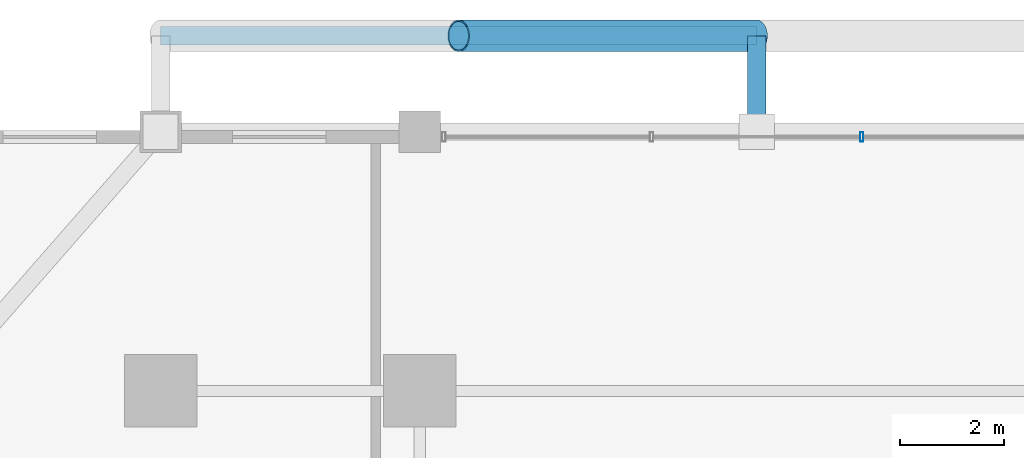
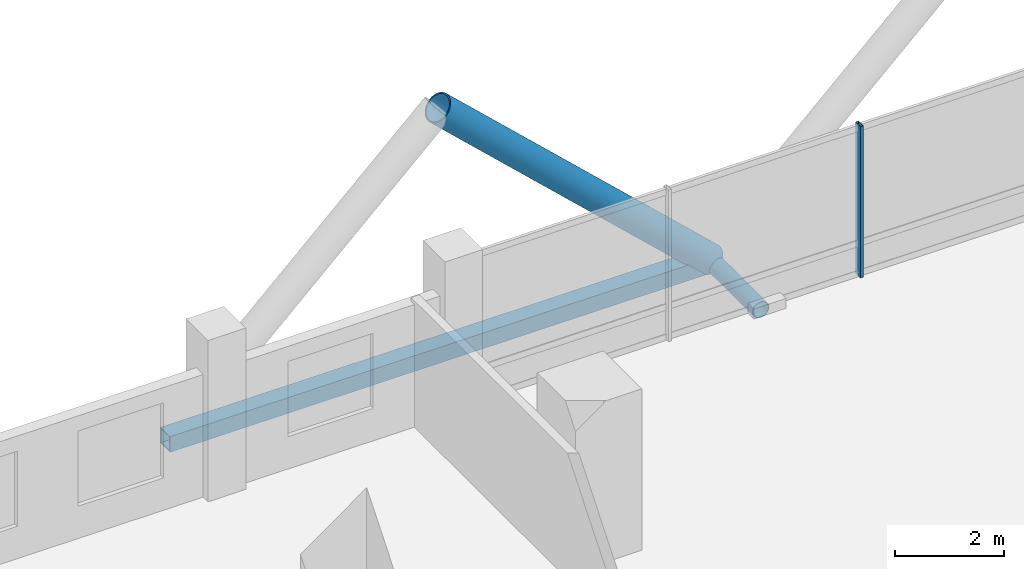
# One storey, part 16 of 27: 4 members, 1 element without a shape of its own.
"""IFC4 building model written with IfcOpenShell, lengths in metres."""

from ifc_helpers import new_model, si_unit, direction, frame, origin, origin_2d, place, context, subcontext, project, spatial, hollow_rectangle, hollow_circle, extrude, material, layer, layer_set, material_profile, profile_set, type_object, element, aggregate, save


model = new_model("IFC4")

# Units and contexts
model_context = context("Model", 3, precision=1e-05, world=origin(), true_north=direction((0.0, 1.0)))
body_context = subcontext(model_context, "Body", "Model", "MODEL_VIEW")
ifc_project = project(units=[si_unit("LENGTHUNIT", "METRE"), si_unit("AREAUNIT", "SQUARE_METRE"), si_unit("VOLUMEUNIT", "CUBIC_METRE"), si_unit("PLANEANGLEUNIT", "RADIAN"), si_unit("MASSUNIT", "GRAM", prefix="KILO")], contexts=[model_context])

# Site, building, storey
site_placement = place(None, origin())
site = spatial("IfcSite", under=ifc_project, at=site_placement, CompositionType="ELEMENT")
building_placement = place(site_placement, origin())
building = spatial("IfcBuilding", under=site, at=building_placement, Name="Barlavira Tower and Art Museum", CompositionType="ELEMENT")
storey_placement = place(building_placement, frame((0.0, 0.0, 72.0)))
storey = spatial("IfcBuildingStorey", under=building, at=storey_placement, Name="L17", CompositionType="ELEMENT", Elevation=72.0)

# Curtain wall, member
ifc_material_1 = material(Name="Low-iron coastal laminated glass", Category="glass")
ifc_layer = layer(ifc_material_1, 0.179931640625, Name="Low-iron coastal laminated glass")
ifc_layer_set = layer_set([ifc_layer], Name="Low-iron coastal laminated glass")
curtain_wall_type = type_object("IfcCurtainWallType", Name="Pale-Metal Unitised Curtain Wall Zone 1", PredefinedType="NOTDEFINED", material=ifc_layer_set)
curtain_wall_placement = place(storey_placement, origin())
curtain_wall = element("IfcCurtainWall", 1, at=curtain_wall_placement, inside=storey, type_object=curtain_wall_type, Name="L17 Curtain Wall CW1-L17-N-B3", PredefinedType="NOTDEFINED")
ifc_material_2 = material(Name="Pale anodised aluminium", Category="aluminium")
ifc_material_profile_1 = material_profile(ifc_material_2, hollow_rectangle(XDim=0.06494140625, YDim=0.179931640625, WallThickness=0.00390625, at=origin_2d()), Name="ALU-MULL 65x180x4")
ifc_profile_set_1 = profile_set([ifc_material_profile_1], Name="Pale anodised aluminium")
member_type_1 = type_object("IfcMemberType", Name="Curtain Wall Pale-Metal Mullion 65x180", PredefinedType="MULLION", material=ifc_profile_set_1)
member_1_placement = place(storey_placement, frame((2.026611328125, 24.89990234375, 0.0), z_axis=(0.0, 0.0, 1.0), x_axis=(-1.0, 0.0, 0.0)))
member_1 = element("IfcMember", 2, at=member_1_placement, type_object=member_type_1, Name="CW1-L17-N-B3 Mullion 1", PredefinedType="MULLION", context=body_context, shape_type="SweptSolid", body=[
    extrude(hollow_rectangle(XDim=0.06494140625, YDim=0.179931640625, WallThickness=0.00390625, at=origin_2d()), origin(), (0.0, 0.0, 1.0), 3.3798828125),
])
aggregate(curtain_wall, [member_1])

# Members
ifc_material_3 = material(Name="Steel S355", Category="steel")
ifc_material_profile_2 = material_profile(ifc_material_3, hollow_circle(Radius=0.304931640625, WallThickness=0.028076171875, at=origin_2d()), Name="CHS 610.0x28.0")
ifc_profile_set_2 = profile_set([ifc_material_profile_2], Name="Steel S355")
member_type_2 = type_object("IfcMemberType", Name="Pale-Metal Exoskeleton Diagrid Tube CHS 610x28 Steel S355", PredefinedType="BRACE", material=ifc_profile_set_2)
member_2_placement = place(storey_placement, frame((0.0, 26.85009765625, -0.1201171875), z_axis=(-0.728934650808, 0.0, 0.684583285548), x_axis=(0.0, -1.0, 0.0)))
element("IfcMember", 3, at=member_2_placement, inside=storey, type_object=member_type_2, Name="L17 Exoskeleton Diagrid Tube N", PredefinedType="BRACE", context=body_context, shape_type="SweptSolid", body=[
    extrude(hollow_circle(Radius=0.304931640625, WallThickness=0.028076171875, at=origin_2d()), origin(), (0.0, 0.0, 1.0), 7.88818359375),
])
ifc_material_profile_3 = material_profile(ifc_material_3, hollow_rectangle(XDim=0.35009765625, YDim=0.35009765625, WallThickness=0.02001953125, at=origin_2d()), Name="SHS 350x350x20.0")
ifc_profile_set_3 = profile_set([ifc_material_profile_3], Name="Steel S355")
member_type_3 = type_object("IfcMemberType", Name="Pale-Metal Exoskeleton Ring Strut SHS 350x350x20 Steel S355", PredefinedType="STRUT", material=ifc_profile_set_3)
member_3_placement = place(storey_placement, frame((-11.5, 26.85009765625, -0.1201171875), z_axis=(1.0, 0.0, 0.0), x_axis=(0.0, 1.0, 0.0)))
element("IfcMember", 4, at=member_3_placement, inside=storey, type_object=member_type_3, Name="L17 Exoskeleton Ring Strut N", PredefinedType="STRUT", context=body_context, shape_type="SweptSolid", body=[
    extrude(hollow_rectangle(XDim=0.35009765625, YDim=0.35009765625, WallThickness=0.02001953125, at=origin_2d()), origin(), (0.0, 0.0, 1.0), 11.5),
])
ifc_material_profile_4 = material_profile(ifc_material_3, hollow_circle(Radius=0.177734375, WallThickness=0.01611328125, at=origin_2d()), Name="CHS 355.6x16.0")
ifc_profile_set_4 = profile_set([ifc_material_profile_4], Name="Steel S355")
member_type_4 = type_object("IfcMemberType", Name="Pale-Metal Exoskeleton Tie Strut CHS 356x16 Steel S355", PredefinedType="STRUT", material=ifc_profile_set_4)
member_4_placement = place(storey_placement, frame((0.0, 26.85009765625, -0.1201171875), z_axis=(0.0, -1.0, 0.0), x_axis=(1.0, 0.0, 0.0)))
element("IfcMember", 5, at=member_4_placement, inside=storey, type_object=member_type_4, Name="L17 Exoskeleton Tie Strut N2", PredefinedType="STRUT", context=body_context, shape_type="SweptSolid", body=[
    extrude(hollow_circle(Radius=0.177734375, WallThickness=0.01611328125, at=origin_2d()), origin(), (0.0, 0.0, 1.0), 1.85009765625),
])

save(model, "model.ifc")
